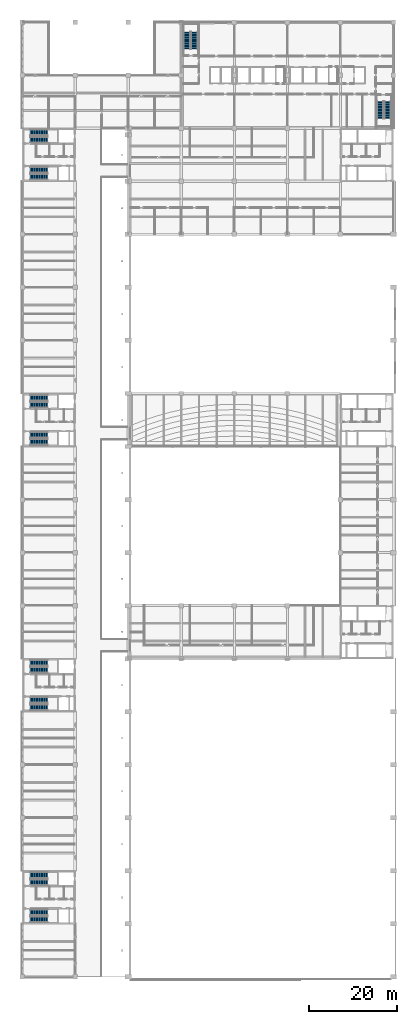
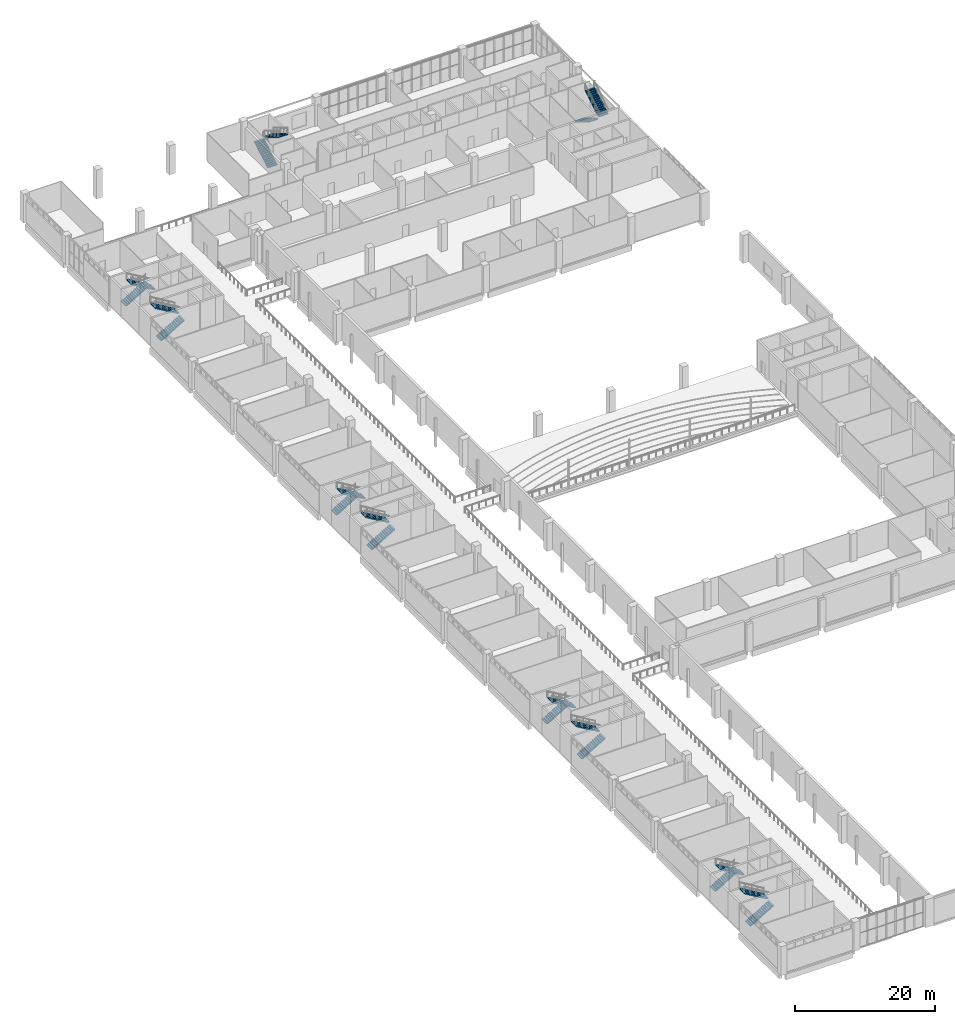
# One storey, part 66 of 69: 20 stair flights, 10 elements without a shape of their own.
"""IFC4 building model written with IfcOpenShell, lengths in metres."""

from ifc_helpers import new_model, si_unit, direction, frame, origin, place, context, subcontext, project, spatial, polyline, outline, extrude, material, type_object, element, aggregate, save


model = new_model("IFC4")

# Units and contexts
model_context = context("Model", 3, precision=1e-05, world=origin(), true_north=direction((0.0, 1.0)))
body_context = subcontext(model_context, "Body", "Model", "MODEL_VIEW")
ifc_project = project(units=[si_unit("LENGTHUNIT", "METRE"), si_unit("AREAUNIT", "SQUARE_METRE"), si_unit("VOLUMEUNIT", "CUBIC_METRE"), si_unit("PLANEANGLEUNIT", "RADIAN"), si_unit("MASSUNIT", "GRAM", prefix="KILO")], contexts=[model_context])

# Site, building, storey
site_placement = place(None, origin())
site = spatial("IfcSite", under=ifc_project, at=site_placement, CompositionType="ELEMENT")
building_placement = place(site_placement, origin())
building = spatial("IfcBuilding", under=site, at=building_placement, Name="Lilac Gate Convention Centre", CompositionType="ELEMENT")
storey_placement = place(building_placement, frame((0.0, 0.0, 12.0)))
storey = spatial("IfcBuildingStorey", under=building, at=storey_placement, Name="L02", CompositionType="ELEMENT", Elevation=12.0)

# Stair, stair flights
ifc_material = material(Name="Concrete C40", Category="concrete")
stair_type_1 = type_object("IfcStairType", Name="Exit stair", PredefinedType="DOUBLE_RETURN_STAIR", material=ifc_material)
stair_1_placement = place(storey_placement, origin())
stair_1 = element("IfcStair", 1, at=stair_1_placement, inside=storey, type_object=stair_type_1, Name="Exit stair NW L02", PredefinedType="DOUBLE_RETURN_STAIR")
stair_flight_type_1 = type_object("IfcStairFlightType", Name="Exit stair flight", PredefinedType="STRAIGHT", material=ifc_material)
stair_flight_1_placement = place(storey_placement, frame((43.300048828125, 239.89990234375, 0.0), z_axis=(0.0, 0.0, 1.0), x_axis=(0.0, 1.0, 0.0)))
stair_flight_1 = element("IfcStairFlight", 2, at=stair_flight_1_placement, type_object=stair_flight_type_1, Name="ST-NW flight 1", NumberOfRisers=15, NumberOfTreads=14, PredefinedType="STRAIGHT", RiserHeight=0.166666667, TreadLength=0.28, context=body_context, shape_type="SweptSolid", body=[
    extrude(outline(polyline([(0.0, 0.0), (0.0, 0.166748046875), (0.280029296875, 0.166748046875), (0.280029296875, 0.333251953125), (0.56005859375, 0.333251953125), (0.56005859375, 0.5), (0.840087890625, 0.5), (0.840087890625, 0.666748046875), (1.1201171875, 0.666748046875), (1.1201171875, 0.833251953125), (1.39990234375, 0.833251953125), (1.39990234375, 1.0), (1.679931640625, 1.0), (1.679931640625, 1.166748046875), (1.9599609375, 1.166748046875), (1.9599609375, 1.333251953125), (2.239990234375, 1.333251953125), (2.239990234375, 1.5), (2.52001953125, 1.5), (2.52001953125, 1.666748046875), (2.800048828125, 1.666748046875), (2.800048828125, 1.833251953125), (3.080078125, 1.833251953125), (3.080078125, 2.0), (3.360107421875, 2.0), (3.360107421875, 2.166748046875), (3.639892578125, 2.166748046875), (3.639892578125, 2.333251953125), (3.919921875, 2.333251953125), (3.919921875, 2.5), (3.919921875, 2.158935546875), (0.29296875, 0.0), (0.0, 0.0)])), frame((0.0, 0.800048828125, 0.0), z_axis=(0.0, -1.0, 0.0), x_axis=(1.0, 0.0, 0.0)), (0.0, 0.0, 1.0), 1.60009765625),
])
stair_flight_2_placement = place(storey_placement, frame((45.0, 243.820068359375, 2.5), z_axis=(0.0, 0.0, 1.0), x_axis=(0.0, -1.0, 0.0)))
stair_flight_2 = element("IfcStairFlight", 3, at=stair_flight_2_placement, type_object=stair_flight_type_1, Name="ST-NW flight 2", NumberOfRisers=15, NumberOfTreads=14, PredefinedType="STRAIGHT", RiserHeight=0.166666667, TreadLength=0.28, context=body_context, shape_type="SweptSolid", body=[
    extrude(outline(polyline([(0.0, 0.0), (0.0, 0.166748046875), (0.280029296875, 0.166748046875), (0.280029296875, 0.333251953125), (0.56005859375, 0.333251953125), (0.56005859375, 0.5), (0.840087890625, 0.5), (0.840087890625, 0.666748046875), (1.1201171875, 0.666748046875), (1.1201171875, 0.833251953125), (1.39990234375, 0.833251953125), (1.39990234375, 1.0), (1.679931640625, 1.0), (1.679931640625, 1.166748046875), (1.9599609375, 1.166748046875), (1.9599609375, 1.333251953125), (2.239990234375, 1.333251953125), (2.239990234375, 1.5), (2.52001953125, 1.5), (2.52001953125, 1.666748046875), (2.800048828125, 1.666748046875), (2.800048828125, 1.833251953125), (3.080078125, 1.833251953125), (3.080078125, 2.0), (3.360107421875, 2.0), (3.360107421875, 2.166748046875), (3.639892578125, 2.166748046875), (3.639892578125, 2.333251953125), (3.919921875, 2.333251953125), (3.919921875, 2.5), (3.919921875, 2.158935546875), (0.29296875, 0.0), (0.0, 0.0)])), frame((0.0, 0.800048828125, 0.0), z_axis=(0.0, -1.0, 0.0), x_axis=(1.0, 0.0, 0.0)), (0.0, 0.0, 1.0), 1.60009765625),
])
aggregate(stair_1, [stair_flight_1, stair_flight_2])

stair_2_placement = place(storey_placement, origin())
stair_2 = element("IfcStair", 4, at=stair_2_placement, inside=storey, type_object=stair_type_1, Name="Exit stair SE L02", PredefinedType="DOUBLE_RETURN_STAIR")
stair_flight_3_placement = place(storey_placement, frame((87.0, 228.10009765625, 0.0), z_axis=(0.0, 0.0, 1.0), x_axis=(0.0, -1.0, 0.0)))
stair_flight_3 = element("IfcStairFlight", 5, at=stair_flight_3_placement, type_object=stair_flight_type_1, Name="ST-SE flight 1", NumberOfRisers=15, NumberOfTreads=14, PredefinedType="STRAIGHT", RiserHeight=0.166666667, TreadLength=0.28, context=body_context, shape_type="SweptSolid", body=[
    extrude(outline(polyline([(0.0, 0.0), (0.0, 0.166748046875), (0.280029296875, 0.166748046875), (0.280029296875, 0.333251953125), (0.56005859375, 0.333251953125), (0.56005859375, 0.5), (0.840087890625, 0.5), (0.840087890625, 0.666748046875), (1.1201171875, 0.666748046875), (1.1201171875, 0.833251953125), (1.39990234375, 0.833251953125), (1.39990234375, 1.0), (1.679931640625, 1.0), (1.679931640625, 1.166748046875), (1.9599609375, 1.166748046875), (1.9599609375, 1.333251953125), (2.239990234375, 1.333251953125), (2.239990234375, 1.5), (2.52001953125, 1.5), (2.52001953125, 1.666748046875), (2.800048828125, 1.666748046875), (2.800048828125, 1.833251953125), (3.080078125, 1.833251953125), (3.080078125, 2.0), (3.360107421875, 2.0), (3.360107421875, 2.166748046875), (3.639892578125, 2.166748046875), (3.639892578125, 2.333251953125), (3.919921875, 2.333251953125), (3.919921875, 2.5), (3.919921875, 2.158935546875), (0.29296875, 0.0), (0.0, 0.0)])), frame((0.0, 0.800048828125, 0.0), z_axis=(0.0, -1.0, 0.0), x_axis=(1.0, 0.0, 0.0)), (0.0, 0.0, 1.0), 1.60009765625),
])
stair_flight_4_placement = place(storey_placement, frame((88.699951171875, 224.179931640625, 2.5), z_axis=(0.0, 0.0, 1.0), x_axis=(0.0, 1.0, 0.0)))
stair_flight_4 = element("IfcStairFlight", 6, at=stair_flight_4_placement, type_object=stair_flight_type_1, Name="ST-SE flight 2", NumberOfRisers=15, NumberOfTreads=14, PredefinedType="STRAIGHT", RiserHeight=0.166666667, TreadLength=0.28, context=body_context, shape_type="SweptSolid", body=[
    extrude(outline(polyline([(0.0, 0.0), (0.0, 0.166748046875), (0.280029296875, 0.166748046875), (0.280029296875, 0.333251953125), (0.56005859375, 0.333251953125), (0.56005859375, 0.5), (0.840087890625, 0.5), (0.840087890625, 0.666748046875), (1.1201171875, 0.666748046875), (1.1201171875, 0.833251953125), (1.39990234375, 0.833251953125), (1.39990234375, 1.0), (1.679931640625, 1.0), (1.679931640625, 1.166748046875), (1.9599609375, 1.166748046875), (1.9599609375, 1.333251953125), (2.239990234375, 1.333251953125), (2.239990234375, 1.5), (2.52001953125, 1.5), (2.52001953125, 1.666748046875), (2.800048828125, 1.666748046875), (2.800048828125, 1.833251953125), (3.080078125, 1.833251953125), (3.080078125, 2.0), (3.360107421875, 2.0), (3.360107421875, 2.166748046875), (3.639892578125, 2.166748046875), (3.639892578125, 2.333251953125), (3.919921875, 2.333251953125), (3.919921875, 2.5), (3.919921875, 2.158935546875), (0.29296875, 0.0), (0.0, 0.0)])), frame((0.0, 0.800048828125, 0.0), z_axis=(0.0, -1.0, 0.0), x_axis=(1.0, 0.0, 0.0)), (0.0, 0.0, 1.0), 1.60009765625),
])
aggregate(stair_2, [stair_flight_3, stair_flight_4])

stair_type_2 = type_object("IfcStairType", Name="Exit stair two flights", PredefinedType="HALF_TURN_STAIR", material=ifc_material)
stair_3_placement = place(storey_placement, origin())
stair_3 = element("IfcStair", 7, at=stair_3_placement, inside=storey, type_object=stair_type_2, Name="Exit stair W1A L02 to L03", PredefinedType="HALF_TURN_STAIR")
stair_flight_type_2 = type_object("IfcStairFlightType", Name="Stair flight 1400 precast", PredefinedType="STRAIGHT", material=ifc_material)
stair_flight_5_placement = place(storey_placement, frame((7.800048828125, 43.0, 0.0), z_axis=(0.0, 0.0, 1.0), x_axis=(1.0, 0.0, 0.0)))
stair_flight_5 = element("IfcStairFlight", 8, at=stair_flight_5_placement, type_object=stair_flight_type_2, Name="ST5 flight 1", NumberOfRisers=15, NumberOfTreads=14, PredefinedType="STRAIGHT", RiserHeight=0.166666667, TreadLength=0.28, context=body_context, shape_type="SweptSolid", body=[
    extrude(outline(polyline([(0.0, 0.0), (0.0, 0.166748046875), (0.280029296875, 0.166748046875), (0.280029296875, 0.333251953125), (0.56005859375, 0.333251953125), (0.56005859375, 0.5), (0.840087890625, 0.5), (0.840087890625, 0.666748046875), (1.1201171875, 0.666748046875), (1.1201171875, 0.833251953125), (1.39990234375, 0.833251953125), (1.39990234375, 1.0), (1.679931640625, 1.0), (1.679931640625, 1.166748046875), (1.9599609375, 1.166748046875), (1.9599609375, 1.333251953125), (2.239990234375, 1.333251953125), (2.239990234375, 1.5), (2.52001953125, 1.5), (2.52001953125, 1.666748046875), (2.800048828125, 1.666748046875), (2.800048828125, 1.833251953125), (3.080078125, 1.833251953125), (3.080078125, 2.0), (3.360107421875, 2.0), (3.360107421875, 2.166748046875), (3.639892578125, 2.166748046875), (3.639892578125, 2.333251953125), (3.919921875, 2.333251953125), (3.919921875, 2.5), (3.919921875, 2.158935546875), (0.29296875, 0.0), (0.0, 0.0)])), frame((0.0, 0.699951171875, 0.0), z_axis=(0.0, -1.0, 0.0), x_axis=(1.0, 0.0, 0.0)), (0.0, 0.0, 1.0), 1.39990234375),
])
stair_flight_6_placement = place(storey_placement, frame((11.719970703125, 44.60009765625, 2.5), z_axis=(0.0, 0.0, 1.0), x_axis=(-1.0, 0.0, 0.0)))
stair_flight_6 = element("IfcStairFlight", 9, at=stair_flight_6_placement, type_object=stair_flight_type_2, Name="ST5 flight 2", NumberOfRisers=15, NumberOfTreads=14, PredefinedType="STRAIGHT", RiserHeight=0.166666667, TreadLength=0.28, context=body_context, shape_type="SweptSolid", body=[
    extrude(outline(polyline([(0.0, 0.0), (0.0, 0.166748046875), (0.280029296875, 0.166748046875), (0.280029296875, 0.333251953125), (0.56005859375, 0.333251953125), (0.56005859375, 0.5), (0.840087890625, 0.5), (0.840087890625, 0.666748046875), (1.1201171875, 0.666748046875), (1.1201171875, 0.833251953125), (1.39990234375, 0.833251953125), (1.39990234375, 1.0), (1.679931640625, 1.0), (1.679931640625, 1.166748046875), (1.9599609375, 1.166748046875), (1.9599609375, 1.333251953125), (2.239990234375, 1.333251953125), (2.239990234375, 1.5), (2.52001953125, 1.5), (2.52001953125, 1.666748046875), (2.800048828125, 1.666748046875), (2.800048828125, 1.833251953125), (3.080078125, 1.833251953125), (3.080078125, 2.0), (3.360107421875, 2.0), (3.360107421875, 2.166748046875), (3.639892578125, 2.166748046875), (3.639892578125, 2.333251953125), (3.919921875, 2.333251953125), (3.919921875, 2.5), (3.919921875, 2.158935546875), (0.29296875, 0.0), (0.0, 0.0)])), frame((0.0, 0.699951171875, 0.0), z_axis=(0.0, -1.0, 0.0), x_axis=(1.0, 0.0, 0.0)), (0.0, 0.0, 1.0), 1.39990234375),
])
aggregate(stair_3, [stair_flight_5, stair_flight_6])

stair_4_placement = place(storey_placement, origin())
stair_4 = element("IfcStair", 10, at=stair_4_placement, inside=storey, type_object=stair_type_2, Name="Exit stair W1B L02 to L03", PredefinedType="HALF_TURN_STAIR")
stair_flight_7_placement = place(storey_placement, frame((7.800048828125, 53.0, 0.0), z_axis=(0.0, 0.0, 1.0), x_axis=(1.0, 0.0, 0.0)))
stair_flight_7 = element("IfcStairFlight", 11, at=stair_flight_7_placement, type_object=stair_flight_type_2, Name="ST6 flight 1", NumberOfRisers=15, NumberOfTreads=14, PredefinedType="STRAIGHT", RiserHeight=0.166666667, TreadLength=0.28, context=body_context, shape_type="SweptSolid", body=[
    extrude(outline(polyline([(0.0, 0.0), (0.0, 0.166748046875), (0.280029296875, 0.166748046875), (0.280029296875, 0.333251953125), (0.56005859375, 0.333251953125), (0.56005859375, 0.5), (0.840087890625, 0.5), (0.840087890625, 0.666748046875), (1.1201171875, 0.666748046875), (1.1201171875, 0.833251953125), (1.39990234375, 0.833251953125), (1.39990234375, 1.0), (1.679931640625, 1.0), (1.679931640625, 1.166748046875), (1.9599609375, 1.166748046875), (1.9599609375, 1.333251953125), (2.239990234375, 1.333251953125), (2.239990234375, 1.5), (2.52001953125, 1.5), (2.52001953125, 1.666748046875), (2.800048828125, 1.666748046875), (2.800048828125, 1.833251953125), (3.080078125, 1.833251953125), (3.080078125, 2.0), (3.360107421875, 2.0), (3.360107421875, 2.166748046875), (3.639892578125, 2.166748046875), (3.639892578125, 2.333251953125), (3.919921875, 2.333251953125), (3.919921875, 2.5), (3.919921875, 2.158935546875), (0.29296875, 0.0), (0.0, 0.0)])), frame((0.0, 0.699951171875, 0.0), z_axis=(0.0, -1.0, 0.0), x_axis=(1.0, 0.0, 0.0)), (0.0, 0.0, 1.0), 1.39990234375),
])
stair_flight_8_placement = place(storey_placement, frame((11.719970703125, 51.39990234375, 2.5), z_axis=(0.0, 0.0, 1.0), x_axis=(-1.0, 0.0, 0.0)))
stair_flight_8 = element("IfcStairFlight", 12, at=stair_flight_8_placement, type_object=stair_flight_type_2, Name="ST6 flight 2", NumberOfRisers=15, NumberOfTreads=14, PredefinedType="STRAIGHT", RiserHeight=0.166666667, TreadLength=0.28, context=body_context, shape_type="SweptSolid", body=[
    extrude(outline(polyline([(0.0, 0.0), (0.0, 0.166748046875), (0.280029296875, 0.166748046875), (0.280029296875, 0.333251953125), (0.56005859375, 0.333251953125), (0.56005859375, 0.5), (0.840087890625, 0.5), (0.840087890625, 0.666748046875), (1.1201171875, 0.666748046875), (1.1201171875, 0.833251953125), (1.39990234375, 0.833251953125), (1.39990234375, 1.0), (1.679931640625, 1.0), (1.679931640625, 1.166748046875), (1.9599609375, 1.166748046875), (1.9599609375, 1.333251953125), (2.239990234375, 1.333251953125), (2.239990234375, 1.5), (2.52001953125, 1.5), (2.52001953125, 1.666748046875), (2.800048828125, 1.666748046875), (2.800048828125, 1.833251953125), (3.080078125, 1.833251953125), (3.080078125, 2.0), (3.360107421875, 2.0), (3.360107421875, 2.166748046875), (3.639892578125, 2.166748046875), (3.639892578125, 2.333251953125), (3.919921875, 2.333251953125), (3.919921875, 2.5), (3.919921875, 2.158935546875), (0.29296875, 0.0), (0.0, 0.0)])), frame((0.0, 0.699951171875, 0.0), z_axis=(0.0, -1.0, 0.0), x_axis=(1.0, 0.0, 0.0)), (0.0, 0.0, 1.0), 1.39990234375),
])
aggregate(stair_4, [stair_flight_7, stair_flight_8])

stair_5_placement = place(storey_placement, origin())
stair_5 = element("IfcStair", 13, at=stair_5_placement, inside=storey, type_object=stair_type_2, Name="Exit stair W2A L02 to L03", PredefinedType="HALF_TURN_STAIR")
stair_flight_9_placement = place(storey_placement, frame((7.800048828125, 91.0, 0.0), z_axis=(0.0, 0.0, 1.0), x_axis=(1.0, 0.0, 0.0)))
stair_flight_9 = element("IfcStairFlight", 14, at=stair_flight_9_placement, type_object=stair_flight_type_2, Name="ST11 flight 1", NumberOfRisers=15, NumberOfTreads=14, PredefinedType="STRAIGHT", RiserHeight=0.166666667, TreadLength=0.28, context=body_context, shape_type="SweptSolid", body=[
    extrude(outline(polyline([(0.0, 0.0), (0.0, 0.166748046875), (0.280029296875, 0.166748046875), (0.280029296875, 0.333251953125), (0.56005859375, 0.333251953125), (0.56005859375, 0.5), (0.840087890625, 0.5), (0.840087890625, 0.666748046875), (1.1201171875, 0.666748046875), (1.1201171875, 0.833251953125), (1.39990234375, 0.833251953125), (1.39990234375, 1.0), (1.679931640625, 1.0), (1.679931640625, 1.166748046875), (1.9599609375, 1.166748046875), (1.9599609375, 1.333251953125), (2.239990234375, 1.333251953125), (2.239990234375, 1.5), (2.52001953125, 1.5), (2.52001953125, 1.666748046875), (2.800048828125, 1.666748046875), (2.800048828125, 1.833251953125), (3.080078125, 1.833251953125), (3.080078125, 2.0), (3.360107421875, 2.0), (3.360107421875, 2.166748046875), (3.639892578125, 2.166748046875), (3.639892578125, 2.333251953125), (3.919921875, 2.333251953125), (3.919921875, 2.5), (3.919921875, 2.158935546875), (0.29296875, 0.0), (0.0, 0.0)])), frame((0.0, 0.699951171875, 0.0), z_axis=(0.0, -1.0, 0.0), x_axis=(1.0, 0.0, 0.0)), (0.0, 0.0, 1.0), 1.39990234375),
])
stair_flight_10_placement = place(storey_placement, frame((11.719970703125, 92.60009765625, 2.5), z_axis=(0.0, 0.0, 1.0), x_axis=(-1.0, 0.0, 0.0)))
stair_flight_10 = element("IfcStairFlight", 15, at=stair_flight_10_placement, type_object=stair_flight_type_2, Name="ST11 flight 2", NumberOfRisers=15, NumberOfTreads=14, PredefinedType="STRAIGHT", RiserHeight=0.166666667, TreadLength=0.28, context=body_context, shape_type="SweptSolid", body=[
    extrude(outline(polyline([(0.0, 0.0), (0.0, 0.166748046875), (0.280029296875, 0.166748046875), (0.280029296875, 0.333251953125), (0.56005859375, 0.333251953125), (0.56005859375, 0.5), (0.840087890625, 0.5), (0.840087890625, 0.666748046875), (1.1201171875, 0.666748046875), (1.1201171875, 0.833251953125), (1.39990234375, 0.833251953125), (1.39990234375, 1.0), (1.679931640625, 1.0), (1.679931640625, 1.166748046875), (1.9599609375, 1.166748046875), (1.9599609375, 1.333251953125), (2.239990234375, 1.333251953125), (2.239990234375, 1.5), (2.52001953125, 1.5), (2.52001953125, 1.666748046875), (2.800048828125, 1.666748046875), (2.800048828125, 1.833251953125), (3.080078125, 1.833251953125), (3.080078125, 2.0), (3.360107421875, 2.0), (3.360107421875, 2.166748046875), (3.639892578125, 2.166748046875), (3.639892578125, 2.333251953125), (3.919921875, 2.333251953125), (3.919921875, 2.5), (3.919921875, 2.158935546875), (0.29296875, 0.0), (0.0, 0.0)])), frame((0.0, 0.699951171875, 0.0), z_axis=(0.0, -1.0, 0.0), x_axis=(1.0, 0.0, 0.0)), (0.0, 0.0, 1.0), 1.39990234375),
])
aggregate(stair_5, [stair_flight_9, stair_flight_10])

stair_6_placement = place(storey_placement, origin())
stair_6 = element("IfcStair", 16, at=stair_6_placement, inside=storey, type_object=stair_type_2, Name="Exit stair W2B L02 to L03", PredefinedType="HALF_TURN_STAIR")
stair_flight_11_placement = place(storey_placement, frame((7.800048828125, 101.0, 0.0), z_axis=(0.0, 0.0, 1.0), x_axis=(1.0, 0.0, 0.0)))
stair_flight_11 = element("IfcStairFlight", 17, at=stair_flight_11_placement, type_object=stair_flight_type_2, Name="ST12 flight 1", NumberOfRisers=15, NumberOfTreads=14, PredefinedType="STRAIGHT", RiserHeight=0.166666667, TreadLength=0.28, context=body_context, shape_type="SweptSolid", body=[
    extrude(outline(polyline([(0.0, 0.0), (0.0, 0.166748046875), (0.280029296875, 0.166748046875), (0.280029296875, 0.333251953125), (0.56005859375, 0.333251953125), (0.56005859375, 0.5), (0.840087890625, 0.5), (0.840087890625, 0.666748046875), (1.1201171875, 0.666748046875), (1.1201171875, 0.833251953125), (1.39990234375, 0.833251953125), (1.39990234375, 1.0), (1.679931640625, 1.0), (1.679931640625, 1.166748046875), (1.9599609375, 1.166748046875), (1.9599609375, 1.333251953125), (2.239990234375, 1.333251953125), (2.239990234375, 1.5), (2.52001953125, 1.5), (2.52001953125, 1.666748046875), (2.800048828125, 1.666748046875), (2.800048828125, 1.833251953125), (3.080078125, 1.833251953125), (3.080078125, 2.0), (3.360107421875, 2.0), (3.360107421875, 2.166748046875), (3.639892578125, 2.166748046875), (3.639892578125, 2.333251953125), (3.919921875, 2.333251953125), (3.919921875, 2.5), (3.919921875, 2.158935546875), (0.29296875, 0.0), (0.0, 0.0)])), frame((0.0, 0.699951171875, 0.0), z_axis=(0.0, -1.0, 0.0), x_axis=(1.0, 0.0, 0.0)), (0.0, 0.0, 1.0), 1.39990234375),
])
stair_flight_12_placement = place(storey_placement, frame((11.719970703125, 99.39990234375, 2.5), z_axis=(0.0, 0.0, 1.0), x_axis=(-1.0, 0.0, 0.0)))
stair_flight_12 = element("IfcStairFlight", 18, at=stair_flight_12_placement, type_object=stair_flight_type_2, Name="ST12 flight 2", NumberOfRisers=15, NumberOfTreads=14, PredefinedType="STRAIGHT", RiserHeight=0.166666667, TreadLength=0.28, context=body_context, shape_type="SweptSolid", body=[
    extrude(outline(polyline([(0.0, 0.0), (0.0, 0.166748046875), (0.280029296875, 0.166748046875), (0.280029296875, 0.333251953125), (0.56005859375, 0.333251953125), (0.56005859375, 0.5), (0.840087890625, 0.5), (0.840087890625, 0.666748046875), (1.1201171875, 0.666748046875), (1.1201171875, 0.833251953125), (1.39990234375, 0.833251953125), (1.39990234375, 1.0), (1.679931640625, 1.0), (1.679931640625, 1.166748046875), (1.9599609375, 1.166748046875), (1.9599609375, 1.333251953125), (2.239990234375, 1.333251953125), (2.239990234375, 1.5), (2.52001953125, 1.5), (2.52001953125, 1.666748046875), (2.800048828125, 1.666748046875), (2.800048828125, 1.833251953125), (3.080078125, 1.833251953125), (3.080078125, 2.0), (3.360107421875, 2.0), (3.360107421875, 2.166748046875), (3.639892578125, 2.166748046875), (3.639892578125, 2.333251953125), (3.919921875, 2.333251953125), (3.919921875, 2.5), (3.919921875, 2.158935546875), (0.29296875, 0.0), (0.0, 0.0)])), frame((0.0, 0.699951171875, 0.0), z_axis=(0.0, -1.0, 0.0), x_axis=(1.0, 0.0, 0.0)), (0.0, 0.0, 1.0), 1.39990234375),
])
aggregate(stair_6, [stair_flight_11, stair_flight_12])

stair_7_placement = place(storey_placement, origin())
stair_7 = element("IfcStair", 19, at=stair_7_placement, inside=storey, type_object=stair_type_2, Name="Exit stair W3A L02 to L03", PredefinedType="HALF_TURN_STAIR")
stair_flight_13_placement = place(storey_placement, frame((7.800048828125, 151.0, 0.0), z_axis=(0.0, 0.0, 1.0), x_axis=(1.0, 0.0, 0.0)))
stair_flight_13 = element("IfcStairFlight", 20, at=stair_flight_13_placement, type_object=stair_flight_type_2, Name="ST17 flight 1", NumberOfRisers=15, NumberOfTreads=14, PredefinedType="STRAIGHT", RiserHeight=0.166666667, TreadLength=0.28, context=body_context, shape_type="SweptSolid", body=[
    extrude(outline(polyline([(0.0, 0.0), (0.0, 0.166748046875), (0.280029296875, 0.166748046875), (0.280029296875, 0.333251953125), (0.56005859375, 0.333251953125), (0.56005859375, 0.5), (0.840087890625, 0.5), (0.840087890625, 0.666748046875), (1.1201171875, 0.666748046875), (1.1201171875, 0.833251953125), (1.39990234375, 0.833251953125), (1.39990234375, 1.0), (1.679931640625, 1.0), (1.679931640625, 1.166748046875), (1.9599609375, 1.166748046875), (1.9599609375, 1.333251953125), (2.239990234375, 1.333251953125), (2.239990234375, 1.5), (2.52001953125, 1.5), (2.52001953125, 1.666748046875), (2.800048828125, 1.666748046875), (2.800048828125, 1.833251953125), (3.080078125, 1.833251953125), (3.080078125, 2.0), (3.360107421875, 2.0), (3.360107421875, 2.166748046875), (3.639892578125, 2.166748046875), (3.639892578125, 2.333251953125), (3.919921875, 2.333251953125), (3.919921875, 2.5), (3.919921875, 2.158935546875), (0.29296875, 0.0), (0.0, 0.0)])), frame((0.0, 0.699951171875, 0.0), z_axis=(0.0, -1.0, 0.0), x_axis=(1.0, 0.0, 0.0)), (0.0, 0.0, 1.0), 1.39990234375),
])
stair_flight_14_placement = place(storey_placement, frame((11.719970703125, 152.60009765625, 2.5), z_axis=(0.0, 0.0, 1.0), x_axis=(-1.0, 0.0, 0.0)))
stair_flight_14 = element("IfcStairFlight", 21, at=stair_flight_14_placement, type_object=stair_flight_type_2, Name="ST17 flight 2", NumberOfRisers=15, NumberOfTreads=14, PredefinedType="STRAIGHT", RiserHeight=0.166666667, TreadLength=0.28, context=body_context, shape_type="SweptSolid", body=[
    extrude(outline(polyline([(0.0, 0.0), (0.0, 0.166748046875), (0.280029296875, 0.166748046875), (0.280029296875, 0.333251953125), (0.56005859375, 0.333251953125), (0.56005859375, 0.5), (0.840087890625, 0.5), (0.840087890625, 0.666748046875), (1.1201171875, 0.666748046875), (1.1201171875, 0.833251953125), (1.39990234375, 0.833251953125), (1.39990234375, 1.0), (1.679931640625, 1.0), (1.679931640625, 1.166748046875), (1.9599609375, 1.166748046875), (1.9599609375, 1.333251953125), (2.239990234375, 1.333251953125), (2.239990234375, 1.5), (2.52001953125, 1.5), (2.52001953125, 1.666748046875), (2.800048828125, 1.666748046875), (2.800048828125, 1.833251953125), (3.080078125, 1.833251953125), (3.080078125, 2.0), (3.360107421875, 2.0), (3.360107421875, 2.166748046875), (3.639892578125, 2.166748046875), (3.639892578125, 2.333251953125), (3.919921875, 2.333251953125), (3.919921875, 2.5), (3.919921875, 2.158935546875), (0.29296875, 0.0), (0.0, 0.0)])), frame((0.0, 0.699951171875, 0.0), z_axis=(0.0, -1.0, 0.0), x_axis=(1.0, 0.0, 0.0)), (0.0, 0.0, 1.0), 1.39990234375),
])
aggregate(stair_7, [stair_flight_13, stair_flight_14])

stair_8_placement = place(storey_placement, origin())
stair_8 = element("IfcStair", 22, at=stair_8_placement, inside=storey, type_object=stair_type_2, Name="Exit stair W3B L02 to L03", PredefinedType="HALF_TURN_STAIR")
stair_flight_15_placement = place(storey_placement, frame((7.800048828125, 161.0, 0.0), z_axis=(0.0, 0.0, 1.0), x_axis=(1.0, 0.0, 0.0)))
stair_flight_15 = element("IfcStairFlight", 23, at=stair_flight_15_placement, type_object=stair_flight_type_2, Name="ST18 flight 1", NumberOfRisers=15, NumberOfTreads=14, PredefinedType="STRAIGHT", RiserHeight=0.166666667, TreadLength=0.28, context=body_context, shape_type="SweptSolid", body=[
    extrude(outline(polyline([(0.0, 0.0), (0.0, 0.166748046875), (0.280029296875, 0.166748046875), (0.280029296875, 0.333251953125), (0.56005859375, 0.333251953125), (0.56005859375, 0.5), (0.840087890625, 0.5), (0.840087890625, 0.666748046875), (1.1201171875, 0.666748046875), (1.1201171875, 0.833251953125), (1.39990234375, 0.833251953125), (1.39990234375, 1.0), (1.679931640625, 1.0), (1.679931640625, 1.166748046875), (1.9599609375, 1.166748046875), (1.9599609375, 1.333251953125), (2.239990234375, 1.333251953125), (2.239990234375, 1.5), (2.52001953125, 1.5), (2.52001953125, 1.666748046875), (2.800048828125, 1.666748046875), (2.800048828125, 1.833251953125), (3.080078125, 1.833251953125), (3.080078125, 2.0), (3.360107421875, 2.0), (3.360107421875, 2.166748046875), (3.639892578125, 2.166748046875), (3.639892578125, 2.333251953125), (3.919921875, 2.333251953125), (3.919921875, 2.5), (3.919921875, 2.158935546875), (0.29296875, 0.0), (0.0, 0.0)])), frame((0.0, 0.699951171875, 0.0), z_axis=(0.0, -1.0, 0.0), x_axis=(1.0, 0.0, 0.0)), (0.0, 0.0, 1.0), 1.39990234375),
])
stair_flight_16_placement = place(storey_placement, frame((11.719970703125, 159.39990234375, 2.5), z_axis=(0.0, 0.0, 1.0), x_axis=(-1.0, 0.0, 0.0)))
stair_flight_16 = element("IfcStairFlight", 24, at=stair_flight_16_placement, type_object=stair_flight_type_2, Name="ST18 flight 2", NumberOfRisers=15, NumberOfTreads=14, PredefinedType="STRAIGHT", RiserHeight=0.166666667, TreadLength=0.28, context=body_context, shape_type="SweptSolid", body=[
    extrude(outline(polyline([(0.0, 0.0), (0.0, 0.166748046875), (0.280029296875, 0.166748046875), (0.280029296875, 0.333251953125), (0.56005859375, 0.333251953125), (0.56005859375, 0.5), (0.840087890625, 0.5), (0.840087890625, 0.666748046875), (1.1201171875, 0.666748046875), (1.1201171875, 0.833251953125), (1.39990234375, 0.833251953125), (1.39990234375, 1.0), (1.679931640625, 1.0), (1.679931640625, 1.166748046875), (1.9599609375, 1.166748046875), (1.9599609375, 1.333251953125), (2.239990234375, 1.333251953125), (2.239990234375, 1.5), (2.52001953125, 1.5), (2.52001953125, 1.666748046875), (2.800048828125, 1.666748046875), (2.800048828125, 1.833251953125), (3.080078125, 1.833251953125), (3.080078125, 2.0), (3.360107421875, 2.0), (3.360107421875, 2.166748046875), (3.639892578125, 2.166748046875), (3.639892578125, 2.333251953125), (3.919921875, 2.333251953125), (3.919921875, 2.5), (3.919921875, 2.158935546875), (0.29296875, 0.0), (0.0, 0.0)])), frame((0.0, 0.699951171875, 0.0), z_axis=(0.0, -1.0, 0.0), x_axis=(1.0, 0.0, 0.0)), (0.0, 0.0, 1.0), 1.39990234375),
])
aggregate(stair_8, [stair_flight_15, stair_flight_16])

stair_9_placement = place(storey_placement, origin())
stair_9 = element("IfcStair", 25, at=stair_9_placement, inside=storey, type_object=stair_type_2, Name="Exit stair W4A L02 to L03", PredefinedType="HALF_TURN_STAIR")
stair_flight_17_placement = place(storey_placement, frame((7.800048828125, 211.0, 0.0), z_axis=(0.0, 0.0, 1.0), x_axis=(1.0, 0.0, 0.0)))
stair_flight_17 = element("IfcStairFlight", 26, at=stair_flight_17_placement, type_object=stair_flight_type_2, Name="ST23 flight 1", NumberOfRisers=15, NumberOfTreads=14, PredefinedType="STRAIGHT", RiserHeight=0.166666667, TreadLength=0.28, context=body_context, shape_type="SweptSolid", body=[
    extrude(outline(polyline([(0.0, 0.0), (0.0, 0.166748046875), (0.280029296875, 0.166748046875), (0.280029296875, 0.333251953125), (0.56005859375, 0.333251953125), (0.56005859375, 0.5), (0.840087890625, 0.5), (0.840087890625, 0.666748046875), (1.1201171875, 0.666748046875), (1.1201171875, 0.833251953125), (1.39990234375, 0.833251953125), (1.39990234375, 1.0), (1.679931640625, 1.0), (1.679931640625, 1.166748046875), (1.9599609375, 1.166748046875), (1.9599609375, 1.333251953125), (2.239990234375, 1.333251953125), (2.239990234375, 1.5), (2.52001953125, 1.5), (2.52001953125, 1.666748046875), (2.800048828125, 1.666748046875), (2.800048828125, 1.833251953125), (3.080078125, 1.833251953125), (3.080078125, 2.0), (3.360107421875, 2.0), (3.360107421875, 2.166748046875), (3.639892578125, 2.166748046875), (3.639892578125, 2.333251953125), (3.919921875, 2.333251953125), (3.919921875, 2.5), (3.919921875, 2.158935546875), (0.29296875, 0.0), (0.0, 0.0)])), frame((0.0, 0.699951171875, 0.0), z_axis=(0.0, -1.0, 0.0), x_axis=(1.0, 0.0, 0.0)), (0.0, 0.0, 1.0), 1.39990234375),
])
stair_flight_18_placement = place(storey_placement, frame((11.719970703125, 212.60009765625, 2.5), z_axis=(0.0, 0.0, 1.0), x_axis=(-1.0, 0.0, 0.0)))
stair_flight_18 = element("IfcStairFlight", 27, at=stair_flight_18_placement, type_object=stair_flight_type_2, Name="ST23 flight 2", NumberOfRisers=15, NumberOfTreads=14, PredefinedType="STRAIGHT", RiserHeight=0.166666667, TreadLength=0.28, context=body_context, shape_type="SweptSolid", body=[
    extrude(outline(polyline([(0.0, 0.0), (0.0, 0.166748046875), (0.280029296875, 0.166748046875), (0.280029296875, 0.333251953125), (0.56005859375, 0.333251953125), (0.56005859375, 0.5), (0.840087890625, 0.5), (0.840087890625, 0.666748046875), (1.1201171875, 0.666748046875), (1.1201171875, 0.833251953125), (1.39990234375, 0.833251953125), (1.39990234375, 1.0), (1.679931640625, 1.0), (1.679931640625, 1.166748046875), (1.9599609375, 1.166748046875), (1.9599609375, 1.333251953125), (2.239990234375, 1.333251953125), (2.239990234375, 1.5), (2.52001953125, 1.5), (2.52001953125, 1.666748046875), (2.800048828125, 1.666748046875), (2.800048828125, 1.833251953125), (3.080078125, 1.833251953125), (3.080078125, 2.0), (3.360107421875, 2.0), (3.360107421875, 2.166748046875), (3.639892578125, 2.166748046875), (3.639892578125, 2.333251953125), (3.919921875, 2.333251953125), (3.919921875, 2.5), (3.919921875, 2.158935546875), (0.29296875, 0.0), (0.0, 0.0)])), frame((0.0, 0.699951171875, 0.0), z_axis=(0.0, -1.0, 0.0), x_axis=(1.0, 0.0, 0.0)), (0.0, 0.0, 1.0), 1.39990234375),
])
aggregate(stair_9, [stair_flight_17, stair_flight_18])

stair_10_placement = place(storey_placement, origin())
stair_10 = element("IfcStair", 28, at=stair_10_placement, inside=storey, type_object=stair_type_2, Name="Exit stair W4B L02 to L03", PredefinedType="HALF_TURN_STAIR")
stair_flight_19_placement = place(storey_placement, frame((7.800048828125, 221.0, 0.0), z_axis=(0.0, 0.0, 1.0), x_axis=(1.0, 0.0, 0.0)))
stair_flight_19 = element("IfcStairFlight", 29, at=stair_flight_19_placement, type_object=stair_flight_type_2, Name="ST24 flight 1", NumberOfRisers=15, NumberOfTreads=14, PredefinedType="STRAIGHT", RiserHeight=0.166666667, TreadLength=0.28, context=body_context, shape_type="SweptSolid", body=[
    extrude(outline(polyline([(0.0, 0.0), (0.0, 0.166748046875), (0.280029296875, 0.166748046875), (0.280029296875, 0.333251953125), (0.56005859375, 0.333251953125), (0.56005859375, 0.5), (0.840087890625, 0.5), (0.840087890625, 0.666748046875), (1.1201171875, 0.666748046875), (1.1201171875, 0.833251953125), (1.39990234375, 0.833251953125), (1.39990234375, 1.0), (1.679931640625, 1.0), (1.679931640625, 1.166748046875), (1.9599609375, 1.166748046875), (1.9599609375, 1.333251953125), (2.239990234375, 1.333251953125), (2.239990234375, 1.5), (2.52001953125, 1.5), (2.52001953125, 1.666748046875), (2.800048828125, 1.666748046875), (2.800048828125, 1.833251953125), (3.080078125, 1.833251953125), (3.080078125, 2.0), (3.360107421875, 2.0), (3.360107421875, 2.166748046875), (3.639892578125, 2.166748046875), (3.639892578125, 2.333251953125), (3.919921875, 2.333251953125), (3.919921875, 2.5), (3.919921875, 2.158935546875), (0.29296875, 0.0), (0.0, 0.0)])), frame((0.0, 0.699951171875, 0.0), z_axis=(0.0, -1.0, 0.0), x_axis=(1.0, 0.0, 0.0)), (0.0, 0.0, 1.0), 1.39990234375),
])
stair_flight_20_placement = place(storey_placement, frame((11.719970703125, 219.39990234375, 2.5), z_axis=(0.0, 0.0, 1.0), x_axis=(-1.0, 0.0, 0.0)))
stair_flight_20 = element("IfcStairFlight", 30, at=stair_flight_20_placement, type_object=stair_flight_type_2, Name="ST24 flight 2", NumberOfRisers=15, NumberOfTreads=14, PredefinedType="STRAIGHT", RiserHeight=0.166666667, TreadLength=0.28, context=body_context, shape_type="SweptSolid", body=[
    extrude(outline(polyline([(0.0, 0.0), (0.0, 0.166748046875), (0.280029296875, 0.166748046875), (0.280029296875, 0.333251953125), (0.56005859375, 0.333251953125), (0.56005859375, 0.5), (0.840087890625, 0.5), (0.840087890625, 0.666748046875), (1.1201171875, 0.666748046875), (1.1201171875, 0.833251953125), (1.39990234375, 0.833251953125), (1.39990234375, 1.0), (1.679931640625, 1.0), (1.679931640625, 1.166748046875), (1.9599609375, 1.166748046875), (1.9599609375, 1.333251953125), (2.239990234375, 1.333251953125), (2.239990234375, 1.5), (2.52001953125, 1.5), (2.52001953125, 1.666748046875), (2.800048828125, 1.666748046875), (2.800048828125, 1.833251953125), (3.080078125, 1.833251953125), (3.080078125, 2.0), (3.360107421875, 2.0), (3.360107421875, 2.166748046875), (3.639892578125, 2.166748046875), (3.639892578125, 2.333251953125), (3.919921875, 2.333251953125), (3.919921875, 2.5), (3.919921875, 2.158935546875), (0.29296875, 0.0), (0.0, 0.0)])), frame((0.0, 0.699951171875, 0.0), z_axis=(0.0, -1.0, 0.0), x_axis=(1.0, 0.0, 0.0)), (0.0, 0.0, 1.0), 1.39990234375),
])
aggregate(stair_10, [stair_flight_19, stair_flight_20])

save(model, "model.ifc")
